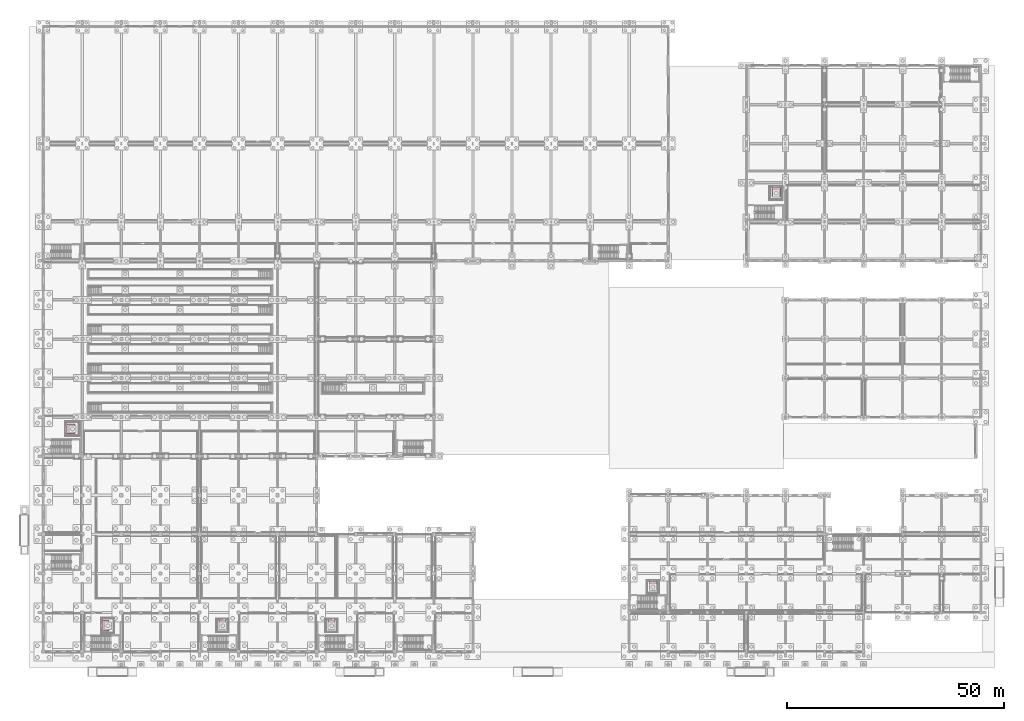
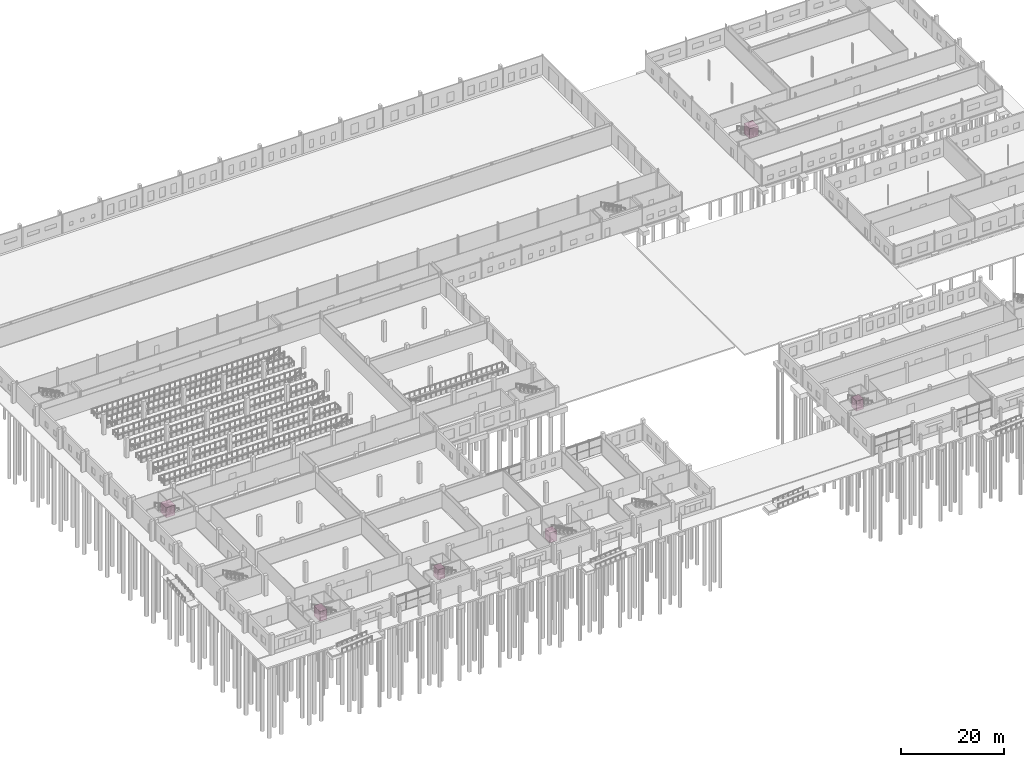
# One storey, part 112 of 112: 6 transport elements.
"""IFC4 building model written with IfcOpenShell, lengths in metres."""

from ifc_helpers import new_model, si_unit, direction, frame, origin, origin_2d, place, context, subcontext, project, spatial, rectangle, extrude, material, type_object, element, save


model = new_model("IFC4")

# Units and contexts
model_context = context("Model", 3, precision=1e-05, world=origin(), true_north=direction((0.0, 1.0)))
body_context = subcontext(model_context, "Body", "Model", "MODEL_VIEW")
ifc_project = project(units=[si_unit("LENGTHUNIT", "METRE"), si_unit("AREAUNIT", "SQUARE_METRE"), si_unit("VOLUMEUNIT", "CUBIC_METRE"), si_unit("PLANEANGLEUNIT", "RADIAN"), si_unit("MASSUNIT", "GRAM", prefix="KILO")], contexts=[model_context])

# Site, building, storey
site_placement = place(None, origin())
site = spatial("IfcSite", under=ifc_project, at=site_placement, CompositionType="ELEMENT")
building_placement = place(site_placement, origin())
building = spatial("IfcBuilding", under=site, at=building_placement, Name="Tharagai Park Tramway Depot", CompositionType="ELEMENT")
storey_placement = place(building_placement, origin())
storey = spatial("IfcBuildingStorey", under=building, at=storey_placement, Name="L00", CompositionType="ELEMENT", Elevation=0.0)

# Transport elements
ifc_material = material(Name="Anodised aluminium", Category="aluminium")
transport_element_type_1 = type_object("IfcTransportElementType", Name="LF-01", PredefinedType="ELEVATOR", material=ifc_material)
transport_element_1_placement = place(storey_placement, frame((14.39990234375, 5.949951171875, 0.0), z_axis=(0.0, 0.0, 1.0), x_axis=(1.0, 0.0, 0.0)))
element("IfcTransportElement", 1, at=transport_element_1_placement, inside=storey, type_object=transport_element_type_1, Name="Firefighting Lift LF-01", PredefinedType="ELEVATOR", context=body_context, shape_type="SweptSolid", body=[
    extrude(rectangle(XDim=1.60009765625, YDim=2.39990234375, at=origin_2d()), origin(), (0.0, 0.0, 1.0), 2.39990234375),
])
transport_element_type_2 = type_object("IfcTransportElementType", Name="LG-01", PredefinedType="ELEVATOR", material=ifc_material)
transport_element_2_placement = place(storey_placement, frame((6.300048828125, 51.300048828125, 0.0), z_axis=(0.0, 0.0, 1.0), x_axis=(1.0, 0.0, 0.0)))
element("IfcTransportElement", 2, at=transport_element_2_placement, inside=storey, type_object=transport_element_type_2, Name="Goods Lift LG-01", PredefinedType="ELEVATOR", context=body_context, shape_type="SweptSolid", body=[
    extrude(rectangle(XDim=2.0, YDim=2.199951171875, at=origin_2d()), origin(), (0.0, 0.0, 1.0), 2.39990234375),
])
transport_element_type_3 = type_object("IfcTransportElementType", Name="LG-02", PredefinedType="ELEVATOR", material=ifc_material)
transport_element_3_placement = place(storey_placement, frame((168.85009765625, 105.89990234375, 0.0), z_axis=(0.0, 0.0, 1.0), x_axis=(1.0, 0.0, 0.0)))
element("IfcTransportElement", 3, at=transport_element_3_placement, inside=storey, type_object=transport_element_type_3, Name="Goods Lift LG-02", PredefinedType="ELEVATOR", context=body_context, shape_type="SweptSolid", body=[
    extrude(rectangle(XDim=2.0, YDim=2.199951171875, at=origin_2d()), origin(), (0.0, 0.0, 1.0), 2.39990234375),
])
transport_element_type_4 = type_object("IfcTransportElementType", Name="LP-01", PredefinedType="ELEVATOR", material=ifc_material)
transport_element_4_placement = place(storey_placement, frame((41.35009765625, 6.39990234375, 0.0), z_axis=(0.0, 0.0, 1.0), x_axis=(1.0, 0.0, 0.0)))
element("IfcTransportElement", 4, at=transport_element_4_placement, inside=storey, type_object=transport_element_type_4, Name="Passenger Lift LP-01", PredefinedType="ELEVATOR", context=body_context, shape_type="SweptSolid", body=[
    extrude(rectangle(XDim=1.60009765625, YDim=1.800048828125, at=origin_2d()), origin(), (0.0, 0.0, 1.0), 2.39990234375),
])
transport_element_type_5 = type_object("IfcTransportElementType", Name="LP-02", PredefinedType="ELEVATOR", material=ifc_material)
transport_element_5_placement = place(storey_placement, frame((66.449951171875, 6.39990234375, 0.0), z_axis=(0.0, 0.0, 1.0), x_axis=(1.0, 0.0, 0.0)))
element("IfcTransportElement", 5, at=transport_element_5_placement, inside=storey, type_object=transport_element_type_5, Name="Passenger Lift LP-02", PredefinedType="ELEVATOR", context=body_context, shape_type="SweptSolid", body=[
    extrude(rectangle(XDim=1.60009765625, YDim=1.800048828125, at=origin_2d()), origin(), (0.0, 0.0, 1.0), 2.39990234375),
])
transport_element_type_6 = type_object("IfcTransportElementType", Name="LP-03", PredefinedType="ELEVATOR", material=ifc_material)
transport_element_6_placement = place(storey_placement, frame((140.449951171875, 15.300048828125, 0.0), z_axis=(0.0, 0.0, 1.0), x_axis=(1.0, 0.0, 0.0)))
element("IfcTransportElement", 6, at=transport_element_6_placement, inside=storey, type_object=transport_element_type_6, Name="Passenger Lift LP-03", PredefinedType="ELEVATOR", context=body_context, shape_type="SweptSolid", body=[
    extrude(rectangle(XDim=1.60009765625, YDim=1.800048828125, at=origin_2d()), origin(), (0.0, 0.0, 1.0), 2.39990234375),
])

save(model, "model.ifc")
